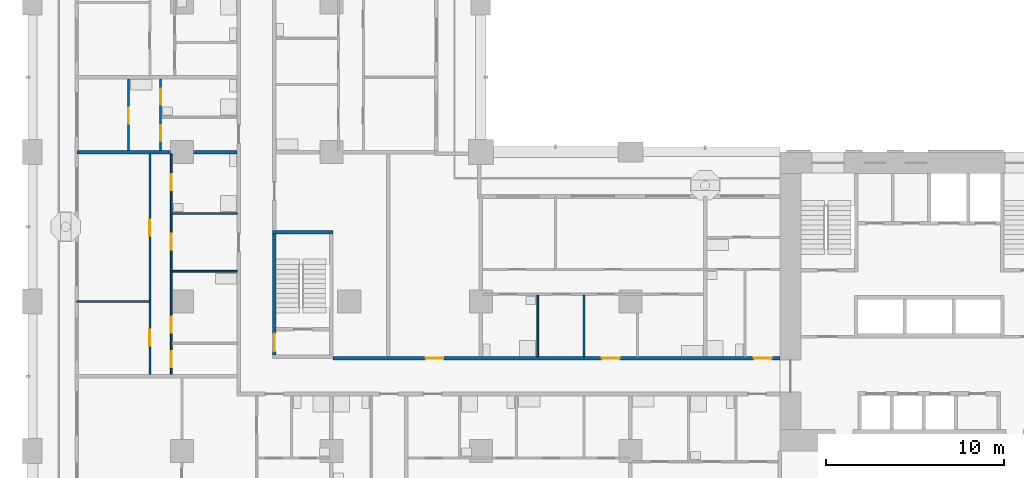
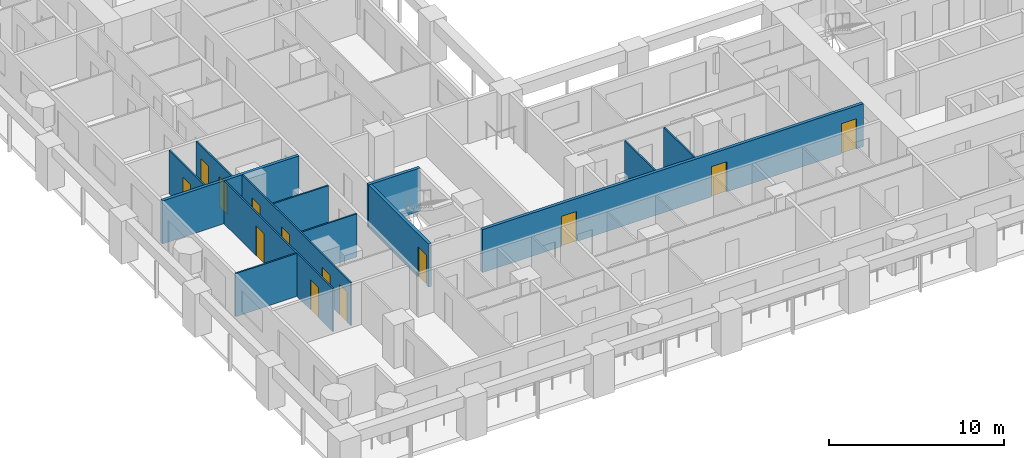
# One storey, part 3 of 21: 13 doors, 13 walls, 13 openings.
"""IFC4 building model written with IfcOpenShell, lengths in metres."""

from ifc_helpers import new_model, si_unit, direction, frame, frame_2d, origin, place, context, subcontext, project, spatial, rectangle, extrude, material, layer, layer_set, type_object, element, fill, save


model = new_model("IFC4")

# Units and contexts
model_context = context("Model", 3, precision=1e-05, world=origin(), true_north=direction((0.0, 1.0)))
body_context = subcontext(model_context, "Body", "Model", "MODEL_VIEW")
ifc_project = project(units=[si_unit("LENGTHUNIT", "METRE"), si_unit("AREAUNIT", "SQUARE_METRE"), si_unit("VOLUMEUNIT", "CUBIC_METRE"), si_unit("PLANEANGLEUNIT", "RADIAN"), si_unit("MASSUNIT", "GRAM", prefix="KILO")], contexts=[model_context])

# Site, building, storey
site_placement = place(None, origin())
site = spatial("IfcSite", under=ifc_project, at=site_placement, CompositionType="ELEMENT")
building_placement = place(site_placement, origin())
building = spatial("IfcBuilding", under=site, at=building_placement, Name="Vermilion Gate Residences", CompositionType="ELEMENT")
storey_placement = place(building_placement, frame((0.0, 0.0, 70.699951171875)))
storey = spatial("IfcBuildingStorey", under=building, at=storey_placement, Name="L17", CompositionType="ELEMENT", Elevation=70.699951171875)

# Walls
ifc_material_1 = material(Name="Plasterboard on steel studs", Category="steel")
ifc_layer_1 = layer(ifc_material_1, 0.10009765625)
ifc_layer_set_1 = layer_set([ifc_layer_1], Name="PARTITION 100")
wall_type_1 = type_object("IfcWallType", Name="PARTITION 100", PredefinedType="PARTITIONING", material=ifc_layer_set_1)
wall_1_placement = place(storey_placement, frame((2.5, 16.800048828125, 0.0), z_axis=(0.0, 0.0, 1.0), x_axis=(1.0, 0.0, 0.0)))
element("IfcWall", 1, at=wall_1_placement, inside=storey, type_object=wall_type_1, Name="Partition", PredefinedType="PARTITIONING", context=body_context, shape_type="SweptSolid", body=[
    extrude(rectangle(XDim=4.050048828125, YDim=0.10009765625, at=frame_2d((2.02490234375, 0.0))), origin(), (0.0, 0.0, 1.0), 3.0),
])
for number, where, z_axis, x_axis, name in (
    (2, (7.85009765625, 18.5, 0.0), (0.0, 0.0, 1.0), (1.0, 0.0, 0.0), "Partition"),
    (3, (7.85009765625, 21.75, 0.0), (0.0, 0.0, 1.0), (1.0, 0.0, 0.0), "Partition"),
):
    element("IfcWall", number, at=place(storey_placement, frame(where, z_axis=z_axis, x_axis=x_axis)), inside=storey, type_object=wall_type_1, Name=name, PredefinedType="PARTITIONING", context=body_context, shape_type="SweptSolid", body=[
        extrude(rectangle(XDim=3.64990234375, YDim=0.10009765625, at=frame_2d((1.824951171875, 0.0))), origin(), (0.0, 0.0, 1.0), 3.0),
    ])

# Wall, opening, door
wall_2_placement = place(storey_placement, frame((5.39990234375, 25.300048828125, 0.0), z_axis=(0.0, 0.0, 1.0), x_axis=(0.0, 1.0, 0.0)))
wall_2 = element("IfcWall", 4, at=wall_2_placement, inside=storey, type_object=wall_type_1, Name="Partition", PredefinedType="PARTITIONING", context=body_context, shape_type="SweptSolid", body=[
    extrude(rectangle(XDim=4.0, YDim=0.10009765625, at=frame_2d((2.0, 0.0))), origin(), (0.0, 0.0, 1.0), 3.0),
])
opening_1_placement = place(wall_2_placement, frame((1.5, 0.0, 0.0)))
opening_1 = element("IfcOpeningElement", 5, at=opening_1_placement, cuts=wall_2, Name="Opening DA16045", PredefinedType="OPENING", context=body_context, shape_type="SweptSolid", body=[
    extrude(rectangle(XDim=0.89990234375, YDim=2.10009765625, at=frame_2d((0.449951171875, 1.050048828125))), frame((0.0, 0.06005859375, 0.0), z_axis=(0.0, -1.0, 0.0), x_axis=(1.0, 0.0, 0.0)), (0.0, 0.0, 1.0), 0.1201171875),
])
ifc_material_2 = material(Name="Timber", Category="wood")
door_type_1 = type_object("IfcDoorType", Name="INTERIOR DOOR 900 X 2100", OperationType="SINGLE_SWING_LEFT", PredefinedType="DOOR", material=ifc_material_2)
door_1_placement = place(opening_1_placement, frame((0.89990234375, 0.0, 0.0), z_axis=(0.0, 0.0, 1.0), x_axis=(-1.0, 0.0, 0.0)))
door_1 = element("IfcDoor", 6, at=door_1_placement, inside=storey, type_object=door_type_1, Name="Interior door", OperationType="SINGLE_SWING_LEFT", OverallHeight=2.10009765625, OverallWidth=0.89990234375, PredefinedType="DOOR", context=body_context, shape_type="SweptSolid", body=[
    extrude(rectangle(XDim=0.89990234375, YDim=2.10009765625, at=frame_2d((0.449951171875, 1.050048828125))), frame((0.0, 0.02490234375, 0.0), z_axis=(0.0, -1.0, 0.0), x_axis=(1.0, 0.0, 0.0)), (0.0, 0.0, 1.0), 0.050048828125),
])
fill(opening_1, door_1)

# Wall, openings, doors
wall_3_placement = place(storey_placement, frame((6.60009765625, 12.699951171875, 0.0), z_axis=(0.0, 0.0, 1.0), x_axis=(0.0, 1.0, 0.0)))
wall_3 = element("IfcWall", 7, at=wall_3_placement, inside=storey, type_object=wall_type_1, Name="Partition", PredefinedType="PARTITIONING", context=body_context, shape_type="SweptSolid", body=[
    extrude(rectangle(XDim=12.400146484375, YDim=0.10009765625, at=frame_2d((6.2001953125, 0.0))), origin(), (0.0, 0.0, 1.0), 3.0),
])
opening_2_placement = place(wall_3_placement, frame((1.60009765625, 0.0, 0.0)))
opening_2 = element("IfcOpeningElement", 8, at=opening_2_placement, cuts=wall_3, Name="Opening DA16048", PredefinedType="OPENING", context=body_context, shape_type="SweptSolid", body=[
    extrude(rectangle(XDim=0.89990234375, YDim=2.10009765625, at=frame_2d((0.449951171875, 1.050048828125))), frame((0.0, 0.06005859375, 0.0), z_axis=(0.0, -1.0, 0.0), x_axis=(1.0, 0.0, 0.0)), (0.0, 0.0, 1.0), 0.1201171875),
])
opening_3_placement = place(wall_3_placement, frame((7.800048828125, 0.0, 0.0)))
opening_3 = element("IfcOpeningElement", 9, at=opening_3_placement, cuts=wall_3, Name="Opening DA16049", PredefinedType="OPENING", context=body_context, shape_type="SweptSolid", body=[
    extrude(rectangle(XDim=0.89990234375, YDim=2.10009765625, at=frame_2d((0.449951171875, 1.050048828125))), frame((0.0, 0.06005859375, 0.0), z_axis=(0.0, -1.0, 0.0), x_axis=(1.0, 0.0, 0.0)), (0.0, 0.0, 1.0), 0.1201171875),
])
door_2_placement = place(opening_2_placement, origin())
door_2 = element("IfcDoor", 10, at=door_2_placement, inside=storey, type_object=door_type_1, Name="Interior door", OperationType="SINGLE_SWING_RIGHT", OverallHeight=2.10009765625, OverallWidth=0.89990234375, PredefinedType="DOOR", context=body_context, shape_type="SweptSolid", body=[
    extrude(rectangle(XDim=0.89990234375, YDim=2.10009765625, at=frame_2d((0.449951171875, 1.050048828125))), frame((0.0, 0.02490234375, 0.0), z_axis=(0.0, -1.0, 0.0), x_axis=(1.0, 0.0, 0.0)), (0.0, 0.0, 1.0), 0.050048828125),
])
fill(opening_2, door_2)
door_3_placement = place(opening_3_placement, origin())
door_3 = element("IfcDoor", 11, at=door_3_placement, inside=storey, type_object=door_type_1, Name="Interior door", OperationType="SINGLE_SWING_LEFT", OverallHeight=2.10009765625, OverallWidth=0.89990234375, PredefinedType="DOOR", context=body_context, shape_type="SweptSolid", body=[
    extrude(rectangle(XDim=0.89990234375, YDim=2.10009765625, at=frame_2d((0.449951171875, 1.050048828125))), frame((0.0, 0.02490234375, 0.0), z_axis=(0.0, -1.0, 0.0), x_axis=(1.0, 0.0, 0.0)), (0.0, 0.0, 1.0), 0.050048828125),
])
fill(opening_3, door_3)

wall_4_placement = place(storey_placement, frame((7.199951171875, 25.300048828125, 0.0), z_axis=(0.0, 0.0, 1.0), x_axis=(0.0, 1.0, 0.0)))
wall_4 = element("IfcWall", 12, at=wall_4_placement, inside=storey, type_object=wall_type_1, Name="Partition", PredefinedType="PARTITIONING", context=body_context, shape_type="SweptSolid", body=[
    extrude(rectangle(XDim=4.0, YDim=0.10009765625, at=frame_2d((2.0, 0.0))), origin(), (0.0, 0.0, 1.0), 3.0),
])
opening_4_placement = place(wall_4_placement, frame((0.5, 0.0, 0.0)))
opening_4 = element("IfcOpeningElement", 13, at=opening_4_placement, cuts=wall_4, Name="Opening DA16053", PredefinedType="OPENING", context=body_context, shape_type="SweptSolid", body=[
    extrude(rectangle(XDim=0.89990234375, YDim=2.10009765625, at=frame_2d((0.449951171875, 1.050048828125))), frame((0.0, 0.06005859375, 0.0), z_axis=(0.0, -1.0, 0.0), x_axis=(1.0, 0.0, 0.0)), (0.0, 0.0, 1.0), 0.1201171875),
])
opening_5_placement = place(wall_4_placement, frame((2.56005859375, 0.0, 0.0)))
opening_5 = element("IfcOpeningElement", 14, at=opening_5_placement, cuts=wall_4, Name="Opening DA16054", PredefinedType="OPENING", context=body_context, shape_type="SweptSolid", body=[
    extrude(rectangle(XDim=0.89990234375, YDim=2.10009765625, at=frame_2d((0.449951171875, 1.050048828125))), frame((0.0, 0.06005859375, 0.0), z_axis=(0.0, -1.0, 0.0), x_axis=(1.0, 0.0, 0.0)), (0.0, 0.0, 1.0), 0.1201171875),
])
door_4_placement = place(opening_4_placement, origin())
door_4 = element("IfcDoor", 15, at=door_4_placement, inside=storey, type_object=door_type_1, Name="Interior door", OperationType="SINGLE_SWING_LEFT", OverallHeight=2.10009765625, OverallWidth=0.89990234375, PredefinedType="DOOR", context=body_context, shape_type="SweptSolid", body=[
    extrude(rectangle(XDim=0.89990234375, YDim=2.10009765625, at=frame_2d((0.449951171875, 1.050048828125))), frame((0.0, 0.02490234375, 0.0), z_axis=(0.0, -1.0, 0.0), x_axis=(1.0, 0.0, 0.0)), (0.0, 0.0, 1.0), 0.050048828125),
])
fill(opening_4, door_4)
door_5_placement = place(opening_5_placement, origin())
door_5 = element("IfcDoor", 16, at=door_5_placement, inside=storey, type_object=door_type_1, Name="Interior door", OperationType="SINGLE_SWING_LEFT", OverallHeight=2.10009765625, OverallWidth=0.89990234375, PredefinedType="DOOR", context=body_context, shape_type="SweptSolid", body=[
    extrude(rectangle(XDim=0.89990234375, YDim=2.10009765625, at=frame_2d((0.449951171875, 1.050048828125))), frame((0.0, 0.02490234375, 0.0), z_axis=(0.0, -1.0, 0.0), x_axis=(1.0, 0.0, 0.0)), (0.0, 0.0, 1.0), 0.050048828125),
])
fill(opening_5, door_5)

wall_5_placement = place(storey_placement, frame((7.800048828125, 12.699951171875, 0.0), z_axis=(0.0, 0.0, 1.0), x_axis=(0.0, 1.0, 0.0)))
wall_5 = element("IfcWall", 17, at=wall_5_placement, inside=storey, type_object=wall_type_1, Name="Partition", PredefinedType="PARTITIONING", context=body_context, shape_type="SweptSolid", body=[
    extrude(rectangle(XDim=12.400146484375, YDim=0.10009765625, at=frame_2d((6.2001953125, 0.0))), origin(), (0.0, 0.0, 1.0), 3.0),
])
opening_6_placement = place(wall_5_placement, frame((7.0, 0.0, 0.0)))
opening_6 = element("IfcOpeningElement", 18, at=opening_6_placement, cuts=wall_5, Name="Opening DA16055", PredefinedType="OPENING", context=body_context, shape_type="SweptSolid", body=[
    extrude(rectangle(XDim=0.89990234375, YDim=2.10009765625, at=frame_2d((0.449951171875, 1.050048828125))), frame((0.0, 0.06005859375, 0.0), z_axis=(0.0, -1.0, 0.0), x_axis=(1.0, 0.0, 0.0)), (0.0, 0.0, 1.0), 0.1201171875),
])
opening_7_placement = place(wall_5_placement, frame((0.39990234375, 0.0, 0.0)))
opening_7 = element("IfcOpeningElement", 19, at=opening_7_placement, cuts=wall_5, Name="Opening DA16056", PredefinedType="OPENING", context=body_context, shape_type="SweptSolid", body=[
    extrude(rectangle(XDim=0.89990234375, YDim=2.10009765625, at=frame_2d((0.449951171875, 1.050048828125))), frame((0.0, 0.06005859375, 0.0), z_axis=(0.0, -1.0, 0.0), x_axis=(1.0, 0.0, 0.0)), (0.0, 0.0, 1.0), 0.1201171875),
])
opening_8_placement = place(wall_5_placement, frame((2.35009765625, 0.0, 0.0)))
opening_8 = element("IfcOpeningElement", 20, at=opening_8_placement, cuts=wall_5, Name="Opening DA16057", PredefinedType="OPENING", context=body_context, shape_type="SweptSolid", body=[
    extrude(rectangle(XDim=0.89990234375, YDim=2.10009765625, at=frame_2d((0.449951171875, 1.050048828125))), frame((0.0, 0.06005859375, 0.0), z_axis=(0.0, -1.0, 0.0), x_axis=(1.0, 0.0, 0.0)), (0.0, 0.0, 1.0), 0.1201171875),
])
opening_9_placement = place(wall_5_placement, frame((10.35009765625, 0.0, 0.0)))
opening_9 = element("IfcOpeningElement", 21, at=opening_9_placement, cuts=wall_5, Name="Opening DA16058", PredefinedType="OPENING", context=body_context, shape_type="SweptSolid", body=[
    extrude(rectangle(XDim=0.89990234375, YDim=2.10009765625, at=frame_2d((0.449951171875, 1.050048828125))), frame((0.0, 0.06005859375, 0.0), z_axis=(0.0, -1.0, 0.0), x_axis=(1.0, 0.0, 0.0)), (0.0, 0.0, 1.0), 0.1201171875),
])
door_6_placement = place(opening_6_placement, frame((0.89990234375, 0.0, 0.0), z_axis=(0.0, 0.0, 1.0), x_axis=(-1.0, 0.0, 0.0)))
door_6 = element("IfcDoor", 22, at=door_6_placement, inside=storey, type_object=door_type_1, Name="Interior door", OperationType="SINGLE_SWING_LEFT", OverallHeight=2.10009765625, OverallWidth=0.89990234375, PredefinedType="DOOR", context=body_context, shape_type="SweptSolid", body=[
    extrude(rectangle(XDim=0.89990234375, YDim=2.10009765625, at=frame_2d((0.449951171875, 1.050048828125))), frame((0.0, 0.02490234375, 0.0), z_axis=(0.0, -1.0, 0.0), x_axis=(1.0, 0.0, 0.0)), (0.0, 0.0, 1.0), 0.050048828125),
])
fill(opening_6, door_6)
door_7_placement = place(opening_7_placement, frame((0.89990234375, 0.0, 0.0), z_axis=(0.0, 0.0, 1.0), x_axis=(-1.0, 0.0, 0.0)))
door_7 = element("IfcDoor", 23, at=door_7_placement, inside=storey, type_object=door_type_1, Name="Interior door", OperationType="SINGLE_SWING_LEFT", OverallHeight=2.10009765625, OverallWidth=0.89990234375, PredefinedType="DOOR", context=body_context, shape_type="SweptSolid", body=[
    extrude(rectangle(XDim=0.89990234375, YDim=2.10009765625, at=frame_2d((0.449951171875, 1.050048828125))), frame((0.0, 0.02490234375, 0.0), z_axis=(0.0, -1.0, 0.0), x_axis=(1.0, 0.0, 0.0)), (0.0, 0.0, 1.0), 0.050048828125),
])
fill(opening_7, door_7)
door_8_placement = place(opening_8_placement, frame((0.89990234375, 0.0, 0.0), z_axis=(0.0, 0.0, 1.0), x_axis=(-1.0, 0.0, 0.0)))
door_8 = element("IfcDoor", 24, at=door_8_placement, inside=storey, type_object=door_type_1, Name="Interior door", OperationType="SINGLE_SWING_LEFT", OverallHeight=2.10009765625, OverallWidth=0.89990234375, PredefinedType="DOOR", context=body_context, shape_type="SweptSolid", body=[
    extrude(rectangle(XDim=0.89990234375, YDim=2.10009765625, at=frame_2d((0.449951171875, 1.050048828125))), frame((0.0, 0.02490234375, 0.0), z_axis=(0.0, -1.0, 0.0), x_axis=(1.0, 0.0, 0.0)), (0.0, 0.0, 1.0), 0.050048828125),
])
fill(opening_8, door_8)
door_9_placement = place(opening_9_placement, frame((0.89990234375, 0.0, 0.0), z_axis=(0.0, 0.0, 1.0), x_axis=(-1.0, 0.0, 0.0)))
door_9 = element("IfcDoor", 25, at=door_9_placement, inside=storey, type_object=door_type_1, Name="Interior door", OperationType="SINGLE_SWING_LEFT", OverallHeight=2.10009765625, OverallWidth=0.89990234375, PredefinedType="DOOR", context=body_context, shape_type="SweptSolid", body=[
    extrude(rectangle(XDim=0.89990234375, YDim=2.10009765625, at=frame_2d((0.449951171875, 1.050048828125))), frame((0.0, 0.02490234375, 0.0), z_axis=(0.0, -1.0, 0.0), x_axis=(1.0, 0.0, 0.0)), (0.0, 0.0, 1.0), 0.050048828125),
])
fill(opening_9, door_9)

# Walls
for number, where, z_axis, x_axis, name in (
    (26, (28.39990234375, 13.699951171875, 0.0), (0.0, 0.0, 1.0), (0.0, 1.0, 0.0), "Partition"),
    (27, (31.0, 13.699951171875, 0.0), (0.0, 0.0, 1.0), (0.0, 1.0, 0.0), "Partition"),
):
    element("IfcWall", number, at=place(storey_placement, frame(where, z_axis=z_axis, x_axis=x_axis)), inside=storey, type_object=wall_type_1, Name=name, PredefinedType="PARTITIONING", context=body_context, shape_type="SweptSolid", body=[
        extrude(rectangle(XDim=3.449951171875, YDim=0.10009765625, at=frame_2d((1.72509765625, 0.0))), origin(), (0.0, 0.0, 1.0), 3.0),
    ])

# Wall, openings, doors
ifc_material_3 = material(Name="Fire-rated plasterboard on steel studs", Category="steel")
ifc_layer_2 = layer(ifc_material_3, 0.199951171875)
ifc_layer_set_2 = layer_set([ifc_layer_2], Name="PARTY WALL 200 EI 120")
wall_type_2 = type_object("IfcWallType", Name="PARTY WALL 200 EI 120", PredefinedType="PARTITIONING", material=ifc_layer_set_2)
wall_6_placement = place(storey_placement, frame((16.89990234375, 13.60009765625, 0.0), z_axis=(0.0, 0.0, 1.0), x_axis=(1.0, 0.0, 0.0)))
wall_6 = element("IfcWall", 28, at=wall_6_placement, inside=storey, type_object=wall_type_2, Name="Party and corridor wall", PredefinedType="PARTITIONING", context=body_context, shape_type="SweptSolid", body=[
    extrude(rectangle(XDim=25.10009765625, YDim=0.199951171875, at=frame_2d((12.550048828125, 0.0))), origin(), (0.0, 0.0, 1.0), 3.0),
])
opening_10_placement = place(wall_6_placement, frame((15.10009765625, 0.0, 0.0)))
opening_10 = element("IfcOpeningElement", 29, at=opening_10_placement, cuts=wall_6, Name="Opening DA16030", PredefinedType="OPENING", context=body_context, shape_type="SweptSolid", body=[
    extrude(rectangle(XDim=1.0, YDim=2.10009765625, at=frame_2d((0.5, 1.050048828125))), frame((0.0, 0.10986328125, 0.0), z_axis=(0.0, -1.0, 0.0), x_axis=(1.0, 0.0, 0.0)), (0.0, 0.0, 1.0), 0.219970703125),
])
opening_11_placement = place(wall_6_placement, frame((23.639892578125, 0.0, 0.0)))
opening_11 = element("IfcOpeningElement", 30, at=opening_11_placement, cuts=wall_6, Name="Opening DA16031", PredefinedType="OPENING", context=body_context, shape_type="SweptSolid", body=[
    extrude(rectangle(XDim=1.0, YDim=2.10009765625, at=frame_2d((0.5, 1.050048828125))), frame((0.0, 0.10986328125, 0.0), z_axis=(0.0, -1.0, 0.0), x_axis=(1.0, 0.0, 0.0)), (0.0, 0.0, 1.0), 0.219970703125),
])
opening_12_placement = place(wall_6_placement, frame((5.199951171875, 0.0, 0.0)))
opening_12 = element("IfcOpeningElement", 31, at=opening_12_placement, cuts=wall_6, Name="Opening DA16032", PredefinedType="OPENING", context=body_context, shape_type="SweptSolid", body=[
    extrude(rectangle(XDim=1.0, YDim=2.10009765625, at=frame_2d((0.5, 1.050048828125))), frame((0.0, 0.10986328125, 0.0), z_axis=(0.0, -1.0, 0.0), x_axis=(1.0, 0.0, 0.0)), (0.0, 0.0, 1.0), 0.219970703125),
])
ifc_material_4 = material(Name="Steel", Category="steel")
door_type_2 = type_object("IfcDoorType", Name="ENTRANCE DOOR 1000 X 2100 FD30", OperationType="SINGLE_SWING_LEFT", PredefinedType="DOOR", material=ifc_material_4)
door_10_placement = place(opening_10_placement, origin())
door_10 = element("IfcDoor", 32, at=door_10_placement, inside=storey, type_object=door_type_2, Name="Entrance door", OperationType="SINGLE_SWING_LEFT", OverallHeight=2.10009765625, OverallWidth=1.0, PredefinedType="DOOR", context=body_context, shape_type="SweptSolid", body=[
    extrude(rectangle(XDim=1.0, YDim=2.10009765625, at=frame_2d((0.5, 1.050048828125))), frame((0.0, 0.02490234375, 0.0), z_axis=(0.0, -1.0, 0.0), x_axis=(1.0, 0.0, 0.0)), (0.0, 0.0, 1.0), 0.050048828125),
])
fill(opening_10, door_10)
door_11_placement = place(opening_11_placement, origin())
door_11 = element("IfcDoor", 33, at=door_11_placement, inside=storey, type_object=door_type_2, Name="Entrance door", OperationType="SINGLE_SWING_LEFT", OverallHeight=2.10009765625, OverallWidth=1.0, PredefinedType="DOOR", context=body_context, shape_type="SweptSolid", body=[
    extrude(rectangle(XDim=1.0, YDim=2.10009765625, at=frame_2d((0.5, 1.050048828125))), frame((0.0, 0.02490234375, 0.0), z_axis=(0.0, -1.0, 0.0), x_axis=(1.0, 0.0, 0.0)), (0.0, 0.0, 1.0), 0.050048828125),
])
fill(opening_11, door_11)
door_12_placement = place(opening_12_placement, origin())
door_12 = element("IfcDoor", 34, at=door_12_placement, inside=storey, type_object=door_type_2, Name="Entrance door", OperationType="SINGLE_SWING_LEFT", OverallHeight=2.10009765625, OverallWidth=1.0, PredefinedType="DOOR", context=body_context, shape_type="SweptSolid", body=[
    extrude(rectangle(XDim=1.0, YDim=2.10009765625, at=frame_2d((0.5, 1.050048828125))), frame((0.0, 0.02490234375, 0.0), z_axis=(0.0, -1.0, 0.0), x_axis=(1.0, 0.0, 0.0)), (0.0, 0.0, 1.0), 0.050048828125),
])
fill(opening_12, door_12)

# Wall
wall_7_placement = place(storey_placement, frame((2.5, 25.199951171875, 0.0), z_axis=(0.0, 0.0, 1.0), x_axis=(1.0, 0.0, 0.0)))
element("IfcWall", 35, at=wall_7_placement, inside=storey, type_object=wall_type_2, Name="Party and corridor wall", PredefinedType="PARTITIONING", context=body_context, shape_type="SweptSolid", body=[
    extrude(rectangle(XDim=9.0, YDim=0.199951171875, at=frame_2d((4.5, 0.0))), origin(), (0.0, 0.0, 1.0), 3.0),
])

# Wall, opening, door
ifc_material_5 = material(Name="Concrete C60", Category="concrete")
ifc_layer_3 = layer(ifc_material_5, 0.199951171875)
ifc_layer_set_3 = layer_set([ifc_layer_3], Name="RC CORE INTERNAL WALL 200 C60")
wall_type_3 = type_object("IfcWallType", Name="RC CORE INTERNAL WALL 200 C60", PredefinedType="SHEAR", material=ifc_layer_set_3)
wall_8_placement = place(storey_placement, frame((13.60009765625, 13.800048828125, 0.0), z_axis=(0.0, 0.0, 1.0), x_axis=(0.0, 1.0, 0.0)))
wall_8 = element("IfcWall", 36, at=wall_8_placement, inside=storey, type_object=wall_type_3, Name="Core internal wall C17-W", PredefinedType="SHEAR", context=body_context, shape_type="SweptSolid", body=[
    extrude(rectangle(XDim=6.800048828125, YDim=0.199951171875, at=frame_2d((3.39990234375, 0.0))), origin(), (0.0, 0.0, 1.0), 3.0),
])
opening_13_placement = place(wall_8_placement, frame((0.199951171875, 0.0, 0.0)))
opening_13 = element("IfcOpeningElement", 37, at=opening_13_placement, cuts=wall_8, Name="Opening DK17201", PredefinedType="OPENING", context=body_context, shape_type="SweptSolid", body=[
    extrude(rectangle(XDim=1.0, YDim=2.10009765625, at=frame_2d((0.5, 1.050048828125))), frame((0.0, 0.10986328125, 0.0), z_axis=(0.0, -1.0, 0.0), x_axis=(1.0, 0.0, 0.0)), (0.0, 0.0, 1.0), 0.219970703125),
])
ifc_material_6 = material(Name="Steel", Category="steel")
door_type_3 = type_object("IfcDoorType", Name="FIRE DOOR FD60 1000 X 2100", OperationType="SINGLE_SWING_LEFT", PredefinedType="DOOR", material=ifc_material_6)
door_13_placement = place(opening_13_placement, frame((1.0, 0.0, 0.0), z_axis=(0.0, 0.0, 1.0), x_axis=(-1.0, 0.0, 0.0)))
door_13 = element("IfcDoor", 38, at=door_13_placement, inside=storey, type_object=door_type_3, Name="Stair vestibule door C17", OperationType="SINGLE_SWING_LEFT", OverallHeight=2.10009765625, OverallWidth=1.0, PredefinedType="DOOR", context=body_context, shape_type="SweptSolid", body=[
    extrude(rectangle(XDim=1.0, YDim=2.10009765625, at=frame_2d((0.5, 1.050048828125))), frame((0.0, 0.02490234375, 0.0), z_axis=(0.0, -1.0, 0.0), x_axis=(1.0, 0.0, 0.0)), (0.0, 0.0, 1.0), 0.050048828125),
])
fill(opening_13, door_13)

# Wall
wall_9_placement = place(storey_placement, frame((13.5, 20.699951171875, 0.0), z_axis=(0.0, 0.0, 1.0), x_axis=(1.0, 0.0, 0.0)))
element("IfcWall", 39, at=wall_9_placement, inside=storey, type_object=wall_type_3, Name="Core internal wall C17-N", PredefinedType="SHEAR", context=body_context, shape_type="SweptSolid", body=[
    extrude(rectangle(XDim=3.39990234375, YDim=0.199951171875, at=frame_2d((1.699951171875, 0.0))), origin(), (0.0, 0.0, 1.0), 3.0),
])

save(model, "model.ifc")
